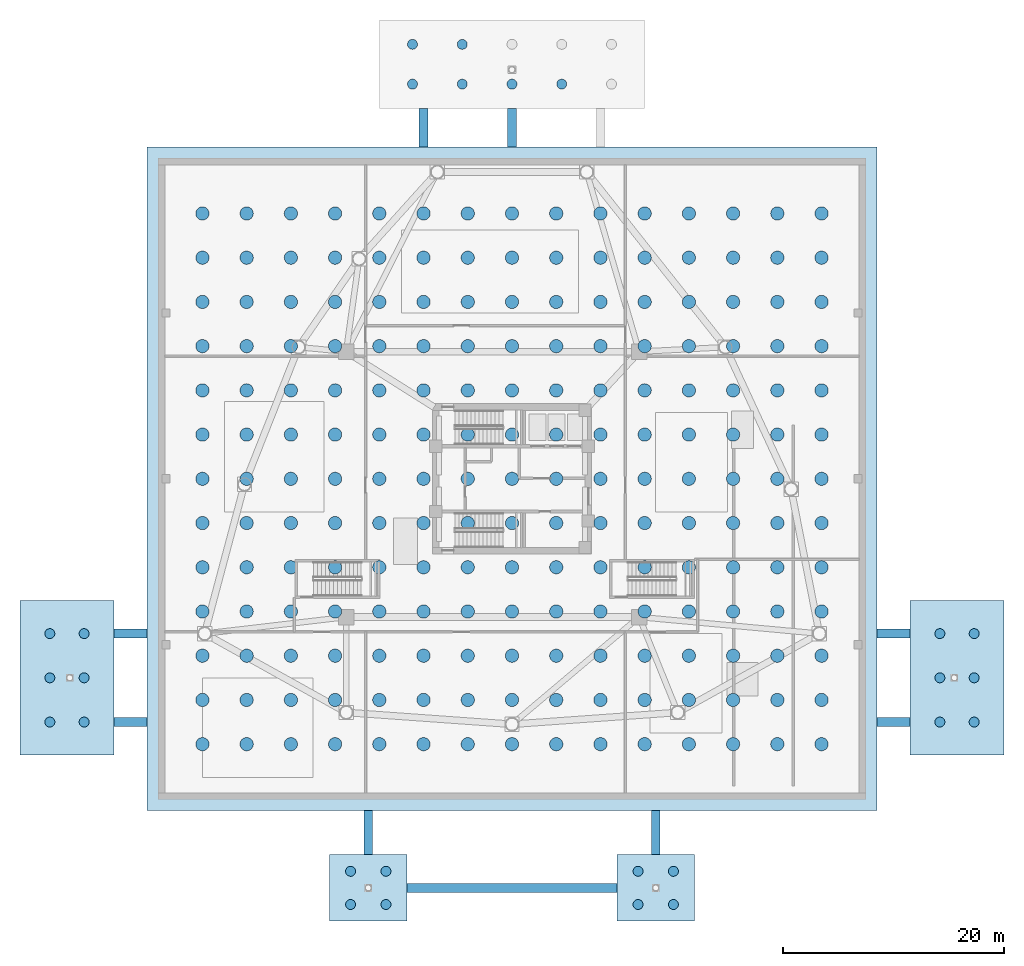
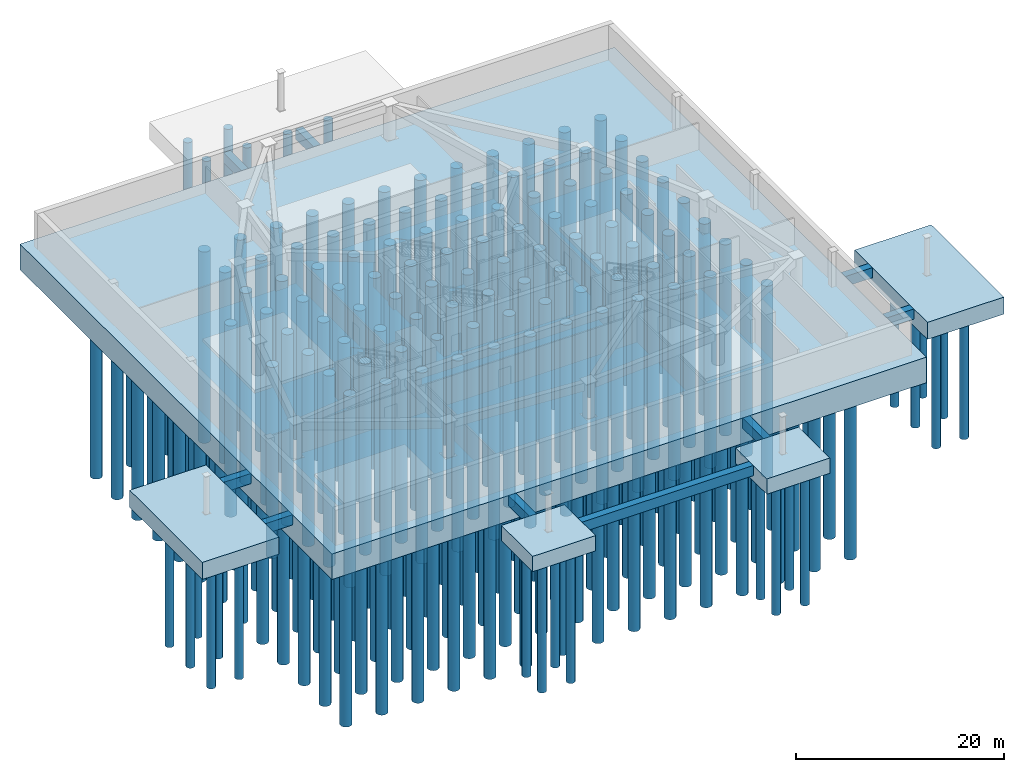
# One storey, part 1 of 11: 221 piles, 14 footings.
"""IFC4 building model written with IfcOpenShell, lengths in metres."""

from ifc_helpers import new_model, si_unit, direction, frame, origin, origin_2d, place, context, subcontext, project, spatial, polyline, rectangle, circle, outline, extrude, material, layer, layer_set, material_profile, profile_set, type_object, element, save


model = new_model("IFC4")

# Units and contexts
model_context = context("Model", 3, precision=1e-05, world=origin(), true_north=direction((0.0, 1.0)))
body_context = subcontext(model_context, "Body", "Model", "MODEL_VIEW")
ifc_project = project(units=[si_unit("LENGTHUNIT", "METRE"), si_unit("AREAUNIT", "SQUARE_METRE"), si_unit("VOLUMEUNIT", "CUBIC_METRE"), si_unit("PLANEANGLEUNIT", "RADIAN"), si_unit("MASSUNIT", "GRAM", prefix="KILO")], contexts=[model_context])

# Site, building, storey
site_placement = place(None, origin())
site = spatial("IfcSite", under=ifc_project, at=site_placement, CompositionType="ELEMENT")
building_placement = place(site_placement, origin())
building = spatial("IfcBuilding", under=site, at=building_placement, Name="Tavelor Broadcast Tower", CompositionType="ELEMENT")
storey_placement = place(building_placement, frame((0.0, 0.0, -8.699951171875)))
storey = spatial("IfcBuildingStorey", under=building, at=storey_placement, Name="B02", CompositionType="ELEMENT", Elevation=-8.699951171875)

# Footings
ifc_material = material(Name="Concrete C40/50", Category="concrete")
ifc_layer_1 = layer(ifc_material, 1.800048828125)
ifc_layer_set_1 = layer_set([ifc_layer_1], Name="Concrete C40/50")
footing_type_1 = type_object("IfcFootingType", Name="Entrance Portal Pile Cap 1800 mm", PredefinedType="PILE_CAP", material=ifc_layer_set_1)
footing_1_placement = place(storey_placement, frame((0.0, 0.0, -1.800048828125)))
element("IfcFooting", 1, at=footing_1_placement, inside=storey, type_object=footing_type_1, Name="Entrance Portal Pile Cap PC04 1800 mm", PredefinedType="PILE_CAP", context=body_context, shape_type="SweptSolid", body=[
    extrude(outline(polyline([(33.5, 5.0), (40.5, 5.0), (40.5, 11.0), (33.5, 11.0), (33.5, 5.0)])), origin(), (0.0, 0.0, 1.0), 1.800048828125),
])
footing_2_placement = place(storey_placement, frame((0.0, 0.0, -1.800048828125)))
element("IfcFooting", 2, at=footing_2_placement, inside=storey, type_object=footing_type_1, Name="Entrance Portal Pile Cap PC05 1800 mm", PredefinedType="PILE_CAP", context=body_context, shape_type="SweptSolid", body=[
    extrude(outline(polyline([(59.5, 5.0), (66.5, 5.0), (66.5, 11.0), (59.5, 11.0), (59.5, 5.0)])), origin(), (0.0, 0.0, 1.0), 1.800048828125),
])
ifc_material_profile_1 = material_profile(ifc_material, rectangle(XDim=0.800048828125, YDim=1.199951171875, at=origin_2d()), Name="RC 800x1200")
ifc_profile_set_1 = profile_set([ifc_material_profile_1], Name="Concrete C40/50")
footing_type_2 = type_object("IfcFootingType", Name="Foundation Ground Tie Beam 800x1200", PredefinedType="FOOTING_BEAM", material=ifc_profile_set_1)
for number, where, z_axis, x_axis, name in (
    (3, (42.0, 75.0, -0.60009765625), (0.0, 1.0, 0.0), (-1.0, 0.0, 0.0), "Foundation Ground Tie Beam GB01"),
    (4, (50.0, 75.0, -0.60009765625), (0.0, 1.0, 0.0), (-1.0, 0.0, 0.0), "Foundation Ground Tie Beam GB02"),
):
    element("IfcFooting", number, at=place(storey_placement, frame(where, z_axis=z_axis, x_axis=x_axis)), inside=storey, type_object=footing_type_2, Name=name, PredefinedType="FOOTING_BEAM", context=body_context, shape_type="SweptSolid", body=[
        extrude(rectangle(XDim=0.800048828125, YDim=1.199951171875, at=origin_2d()), origin(), (0.0, 0.0, 1.0), 3.5),
    ])
for number, where, z_axis, x_axis, name in (
    (5, (14.0, 23.0, -0.60009765625), (1.0, 0.0, 0.0), (0.0, 1.0, 0.0), "Foundation Ground Tie Beam GB04"),
    (6, (14.0, 31.0, -0.60009765625), (1.0, 0.0, 0.0), (0.0, 1.0, 0.0), "Foundation Ground Tie Beam GB05"),
    (7, (83.0, 23.0, -0.60009765625), (1.0, 0.0, 0.0), (0.0, 1.0, 0.0), "Foundation Ground Tie Beam GB06"),
    (8, (83.0, 31.0, -0.60009765625), (1.0, 0.0, 0.0), (0.0, 1.0, 0.0), "Foundation Ground Tie Beam GB07"),
):
    element("IfcFooting", number, at=place(storey_placement, frame(where, z_axis=z_axis, x_axis=x_axis)), inside=storey, type_object=footing_type_2, Name=name, PredefinedType="FOOTING_BEAM", context=body_context, shape_type="SweptSolid", body=[
        extrude(rectangle(XDim=0.800048828125, YDim=1.199951171875, at=origin_2d()), origin(), (0.0, 0.0, 1.0), 3.0),
    ])
for number, where, z_axis, x_axis, name in (
    (9, (37.0, 11.0, -0.60009765625), (0.0, 1.0, 0.0), (-1.0, 0.0, 0.0), "Foundation Ground Tie Beam GB08"),
    (10, (63.0, 11.0, -0.60009765625), (0.0, 1.0, 0.0), (-1.0, 0.0, 0.0), "Foundation Ground Tie Beam GB09"),
):
    element("IfcFooting", number, at=place(storey_placement, frame(where, z_axis=z_axis, x_axis=x_axis)), inside=storey, type_object=footing_type_2, Name=name, PredefinedType="FOOTING_BEAM", context=body_context, shape_type="SweptSolid", body=[
        extrude(rectangle(XDim=0.800048828125, YDim=1.199951171875, at=origin_2d()), origin(), (0.0, 0.0, 1.0), 4.0),
    ])
footing_3_placement = place(storey_placement, frame((40.5, 8.0, -0.60009765625), z_axis=(1.0, 0.0, 0.0), x_axis=(0.0, 1.0, 0.0)))
element("IfcFooting", 11, at=footing_3_placement, inside=storey, type_object=footing_type_2, Name="Foundation Ground Tie Beam GB10", PredefinedType="FOOTING_BEAM", context=body_context, shape_type="SweptSolid", body=[
    extrude(rectangle(XDim=0.800048828125, YDim=1.199951171875, at=origin_2d()), origin(), (0.0, 0.0, 1.0), 19.0),
])
ifc_layer_2 = layer(ifc_material, 3.0)
ifc_layer_set_2 = layer_set([ifc_layer_2], Name="Concrete C40/50")
footing_type_3 = type_object("IfcFootingType", Name="Piled Raft Foundation 3000 mm", PredefinedType="PILE_CAP", material=ifc_layer_set_2)
footing_4_placement = place(storey_placement, frame((0.0, 0.0, -3.0)))
element("IfcFooting", 12, at=footing_4_placement, inside=storey, type_object=footing_type_3, Name="Tower Piled Raft Foundation 3000 mm", PredefinedType="PILE_CAP", context=body_context, shape_type="SweptSolid", body=[
    extrude(outline(polyline([(17.0, 15.0), (83.0, 15.0), (83.0, 75.0), (17.0, 75.0), (17.0, 15.0)])), origin(), (0.0, 0.0, 1.0), 3.0),
])

# Piles
ifc_material_profile_2 = material_profile(ifc_material, circle(Radius=0.449951171875, at=origin_2d()), Name="PILE D900")
ifc_profile_set_2 = profile_set([ifc_material_profile_2], Name="Concrete C40/50")
pile_type_1 = type_object("IfcPileType", Name="Podium Bored Pile D900", PredefinedType="BORED", material=ifc_profile_set_2)
for number, where, z_axis, x_axis, name in (
    (13, (41.0, 80.699951171875, -1.85009765625), (0.0, 0.0, -1.0), (1.0, 0.0, 0.0), "Podium Cap PC01 Bored Pile C001"),
    (14, (41.0, 84.300048828125, -1.85009765625), (0.0, 0.0, -1.0), (1.0, 0.0, 0.0), "Podium Cap PC01 Bored Pile C002"),
    (15, (45.5, 80.699951171875, -1.85009765625), (0.0, 0.0, -1.0), (1.0, 0.0, 0.0), "Podium Cap PC01 Bored Pile C003"),
    (16, (45.5, 84.300048828125, -1.85009765625), (0.0, 0.0, -1.0), (1.0, 0.0, 0.0), "Podium Cap PC01 Bored Pile C004"),
    (17, (50.0, 80.699951171875, -1.85009765625), (0.0, 0.0, -1.0), (1.0, 0.0, 0.0), "Podium Cap PC01 Bored Pile C005"),
    (18, (54.5, 80.699951171875, -1.85009765625), (0.0, 0.0, -1.0), (1.0, 0.0, 0.0), "Podium Cap PC01 Bored Pile C007"),
    (19, (8.199951171875, 23.0, -1.85009765625), (0.0, 0.0, -1.0), (1.0, 0.0, 0.0), "Podium Cap PC02 Bored Pile C011"),
    (20, (8.199951171875, 27.0, -1.85009765625), (0.0, 0.0, -1.0), (1.0, 0.0, 0.0), "Podium Cap PC02 Bored Pile C012"),
    (21, (8.199951171875, 31.0, -1.85009765625), (0.0, 0.0, -1.0), (1.0, 0.0, 0.0), "Podium Cap PC02 Bored Pile C013"),
    (22, (11.300048828125, 23.0, -1.85009765625), (0.0, 0.0, -1.0), (1.0, 0.0, 0.0), "Podium Cap PC02 Bored Pile C014"),
    (23, (11.300048828125, 27.0, -1.85009765625), (0.0, 0.0, -1.0), (1.0, 0.0, 0.0), "Podium Cap PC02 Bored Pile C015"),
    (24, (11.300048828125, 31.0, -1.85009765625), (0.0, 0.0, -1.0), (1.0, 0.0, 0.0), "Podium Cap PC02 Bored Pile C016"),
    (25, (88.699951171875, 23.0, -1.85009765625), (0.0, 0.0, -1.0), (1.0, 0.0, 0.0), "Podium Cap PC03 Bored Pile C017"),
    (26, (88.699951171875, 27.0, -1.85009765625), (0.0, 0.0, -1.0), (1.0, 0.0, 0.0), "Podium Cap PC03 Bored Pile C018"),
    (27, (88.699951171875, 31.0, -1.85009765625), (0.0, 0.0, -1.0), (1.0, 0.0, 0.0), "Podium Cap PC03 Bored Pile C019"),
    (28, (91.800048828125, 23.0, -1.85009765625), (0.0, 0.0, -1.0), (1.0, 0.0, 0.0), "Podium Cap PC03 Bored Pile C020"),
    (29, (91.800048828125, 27.0, -1.85009765625), (0.0, 0.0, -1.0), (1.0, 0.0, 0.0), "Podium Cap PC03 Bored Pile C021"),
    (30, (91.800048828125, 31.0, -1.85009765625), (0.0, 0.0, -1.0), (1.0, 0.0, 0.0), "Podium Cap PC03 Bored Pile C022"),
):
    element("IfcPile", number, at=place(storey_placement, frame(where, z_axis=z_axis, x_axis=x_axis)), inside=storey, type_object=pile_type_1, Name=name, PredefinedType="BORED", context=body_context, shape_type="SweptSolid", body=[
        extrude(circle(Radius=0.449951171875, at=origin_2d()), origin(), (0.0, 0.0, 1.0), 15.449951171875),
    ])
for number, where, z_axis, x_axis, name in (
    (31, (35.39990234375, 6.5, -1.650146484375), (0.0, 0.0, -1.0), (1.0, 0.0, 0.0), "Podium Cap PC04 Bored Pile C023"),
    (32, (35.39990234375, 9.5, -1.650146484375), (0.0, 0.0, -1.0), (1.0, 0.0, 0.0), "Podium Cap PC04 Bored Pile C024"),
    (33, (38.60009765625, 6.5, -1.650146484375), (0.0, 0.0, -1.0), (1.0, 0.0, 0.0), "Podium Cap PC04 Bored Pile C025"),
    (34, (38.60009765625, 9.5, -1.650146484375), (0.0, 0.0, -1.0), (1.0, 0.0, 0.0), "Podium Cap PC04 Bored Pile C026"),
    (35, (61.39990234375, 6.5, -1.650146484375), (0.0, 0.0, -1.0), (1.0, 0.0, 0.0), "Podium Cap PC05 Bored Pile C027"),
    (36, (61.39990234375, 9.5, -1.650146484375), (0.0, 0.0, -1.0), (1.0, 0.0, 0.0), "Podium Cap PC05 Bored Pile C028"),
    (37, (64.60009765625, 6.5, -1.650146484375), (0.0, 0.0, -1.0), (1.0, 0.0, 0.0), "Podium Cap PC05 Bored Pile C029"),
    (38, (64.60009765625, 9.5, -1.650146484375), (0.0, 0.0, -1.0), (1.0, 0.0, 0.0), "Podium Cap PC05 Bored Pile C030"),
):
    element("IfcPile", number, at=place(storey_placement, frame(where, z_axis=z_axis, x_axis=x_axis)), inside=storey, type_object=pile_type_1, Name=name, PredefinedType="BORED", context=body_context, shape_type="SweptSolid", body=[
        extrude(circle(Radius=0.449951171875, at=origin_2d()), origin(), (0.0, 0.0, 1.0), 15.64990234375),
    ])

# Footings
ifc_layer_3 = layer(ifc_material, 2.0)
ifc_layer_set_3 = layer_set([ifc_layer_3], Name="Concrete C40/50")
footing_type_4 = type_object("IfcFootingType", Name="Podium Pile Cap 2000 mm Type B", PredefinedType="PILE_CAP", material=ifc_layer_set_3)
footing_5_placement = place(storey_placement, frame((0.0, 0.0, -2.0)))
element("IfcFooting", 39, at=footing_5_placement, inside=storey, type_object=footing_type_4, Name="Podium Pile Cap PC02 2000 mm", PredefinedType="PILE_CAP", context=body_context, shape_type="SweptSolid", body=[
    extrude(outline(polyline([(5.5, 20.0), (14.0, 20.0), (14.0, 34.0), (5.5, 34.0), (5.5, 20.0)])), origin(), (0.0, 0.0, 1.0), 2.0),
])
footing_6_placement = place(storey_placement, frame((0.0, 0.0, -2.0)))
element("IfcFooting", 40, at=footing_6_placement, inside=storey, type_object=footing_type_4, Name="Podium Pile Cap PC03 2000 mm", PredefinedType="PILE_CAP", context=body_context, shape_type="SweptSolid", body=[
    extrude(outline(polyline([(86.0, 20.0), (94.5, 20.0), (94.5, 34.0), (86.0, 34.0), (86.0, 20.0)])), origin(), (0.0, 0.0, 1.0), 2.0),
])

# Piles
ifc_material_profile_3 = material_profile(ifc_material, circle(Radius=0.60009765625, at=origin_2d()), Name="PILE D1200")
ifc_profile_set_3 = profile_set([ifc_material_profile_3], Name="Concrete C40/50")
pile_type_2 = type_object("IfcPileType", Name="Tower Bored Pile D1200", PredefinedType="BORED", material=ifc_profile_set_3)
for number, where, z_axis, x_axis, name in (
    (41, (22.0, 21.0, -2.85009765625), (0.0, 0.0, -1.0), (1.0, 0.0, 0.0), "Tower Raft Bored Pile R001"),
    (42, (22.0, 25.0, -2.85009765625), (0.0, 0.0, -1.0), (1.0, 0.0, 0.0), "Tower Raft Bored Pile R002"),
    (43, (22.0, 29.0, -2.85009765625), (0.0, 0.0, -1.0), (1.0, 0.0, 0.0), "Tower Raft Bored Pile R003"),
    (44, (22.0, 33.0, -2.85009765625), (0.0, 0.0, -1.0), (1.0, 0.0, 0.0), "Tower Raft Bored Pile R004"),
    (45, (22.0, 37.0, -2.85009765625), (0.0, 0.0, -1.0), (1.0, 0.0, 0.0), "Tower Raft Bored Pile R005"),
    (46, (22.0, 41.0, -2.85009765625), (0.0, 0.0, -1.0), (1.0, 0.0, 0.0), "Tower Raft Bored Pile R006"),
    (47, (22.0, 45.0, -2.85009765625), (0.0, 0.0, -1.0), (1.0, 0.0, 0.0), "Tower Raft Bored Pile R007"),
    (48, (22.0, 49.0, -2.85009765625), (0.0, 0.0, -1.0), (1.0, 0.0, 0.0), "Tower Raft Bored Pile R008"),
    (49, (22.0, 53.0, -2.85009765625), (0.0, 0.0, -1.0), (1.0, 0.0, 0.0), "Tower Raft Bored Pile R009"),
    (50, (22.0, 57.0, -2.85009765625), (0.0, 0.0, -1.0), (1.0, 0.0, 0.0), "Tower Raft Bored Pile R010"),
    (51, (22.0, 61.0, -2.85009765625), (0.0, 0.0, -1.0), (1.0, 0.0, 0.0), "Tower Raft Bored Pile R011"),
    (52, (22.0, 65.0, -2.85009765625), (0.0, 0.0, -1.0), (1.0, 0.0, 0.0), "Tower Raft Bored Pile R012"),
    (53, (22.0, 69.0, -2.85009765625), (0.0, 0.0, -1.0), (1.0, 0.0, 0.0), "Tower Raft Bored Pile R013"),
    (54, (26.0, 21.0, -2.85009765625), (0.0, 0.0, -1.0), (1.0, 0.0, 0.0), "Tower Raft Bored Pile R014"),
    (55, (26.0, 25.0, -2.85009765625), (0.0, 0.0, -1.0), (1.0, 0.0, 0.0), "Tower Raft Bored Pile R015"),
    (56, (26.0, 29.0, -2.85009765625), (0.0, 0.0, -1.0), (1.0, 0.0, 0.0), "Tower Raft Bored Pile R016"),
    (57, (26.0, 33.0, -2.85009765625), (0.0, 0.0, -1.0), (1.0, 0.0, 0.0), "Tower Raft Bored Pile R017"),
    (58, (26.0, 37.0, -2.85009765625), (0.0, 0.0, -1.0), (1.0, 0.0, 0.0), "Tower Raft Bored Pile R018"),
    (59, (26.0, 41.0, -2.85009765625), (0.0, 0.0, -1.0), (1.0, 0.0, 0.0), "Tower Raft Bored Pile R019"),
    (60, (26.0, 45.0, -2.85009765625), (0.0, 0.0, -1.0), (1.0, 0.0, 0.0), "Tower Raft Bored Pile R020"),
    (61, (26.0, 49.0, -2.85009765625), (0.0, 0.0, -1.0), (1.0, 0.0, 0.0), "Tower Raft Bored Pile R021"),
    (62, (26.0, 53.0, -2.85009765625), (0.0, 0.0, -1.0), (1.0, 0.0, 0.0), "Tower Raft Bored Pile R022"),
    (63, (26.0, 57.0, -2.85009765625), (0.0, 0.0, -1.0), (1.0, 0.0, 0.0), "Tower Raft Bored Pile R023"),
    (64, (26.0, 61.0, -2.85009765625), (0.0, 0.0, -1.0), (1.0, 0.0, 0.0), "Tower Raft Bored Pile R024"),
    (65, (26.0, 65.0, -2.85009765625), (0.0, 0.0, -1.0), (1.0, 0.0, 0.0), "Tower Raft Bored Pile R025"),
    (66, (26.0, 69.0, -2.85009765625), (0.0, 0.0, -1.0), (1.0, 0.0, 0.0), "Tower Raft Bored Pile R026"),
    (67, (30.0, 21.0, -2.85009765625), (0.0, 0.0, -1.0), (1.0, 0.0, 0.0), "Tower Raft Bored Pile R027"),
    (68, (30.0, 25.0, -2.85009765625), (0.0, 0.0, -1.0), (1.0, 0.0, 0.0), "Tower Raft Bored Pile R028"),
    (69, (30.0, 29.0, -2.85009765625), (0.0, 0.0, -1.0), (1.0, 0.0, 0.0), "Tower Raft Bored Pile R029"),
    (70, (30.0, 33.0, -2.85009765625), (0.0, 0.0, -1.0), (1.0, 0.0, 0.0), "Tower Raft Bored Pile R030"),
    (71, (30.0, 37.0, -2.85009765625), (0.0, 0.0, -1.0), (1.0, 0.0, 0.0), "Tower Raft Bored Pile R031"),
    (72, (30.0, 41.0, -2.85009765625), (0.0, 0.0, -1.0), (1.0, 0.0, 0.0), "Tower Raft Bored Pile R032"),
    (73, (30.0, 45.0, -2.85009765625), (0.0, 0.0, -1.0), (1.0, 0.0, 0.0), "Tower Raft Bored Pile R033"),
    (74, (30.0, 49.0, -2.85009765625), (0.0, 0.0, -1.0), (1.0, 0.0, 0.0), "Tower Raft Bored Pile R034"),
    (75, (30.0, 53.0, -2.85009765625), (0.0, 0.0, -1.0), (1.0, 0.0, 0.0), "Tower Raft Bored Pile R035"),
    (76, (30.0, 57.0, -2.85009765625), (0.0, 0.0, -1.0), (1.0, 0.0, 0.0), "Tower Raft Bored Pile R036"),
    (77, (30.0, 61.0, -2.85009765625), (0.0, 0.0, -1.0), (1.0, 0.0, 0.0), "Tower Raft Bored Pile R037"),
    (78, (30.0, 65.0, -2.85009765625), (0.0, 0.0, -1.0), (1.0, 0.0, 0.0), "Tower Raft Bored Pile R038"),
    (79, (30.0, 69.0, -2.85009765625), (0.0, 0.0, -1.0), (1.0, 0.0, 0.0), "Tower Raft Bored Pile R039"),
    (80, (34.0, 21.0, -2.85009765625), (0.0, 0.0, -1.0), (1.0, 0.0, 0.0), "Tower Raft Bored Pile R040"),
    (81, (34.0, 25.0, -2.85009765625), (0.0, 0.0, -1.0), (1.0, 0.0, 0.0), "Tower Raft Bored Pile R041"),
    (82, (34.0, 29.0, -2.85009765625), (0.0, 0.0, -1.0), (1.0, 0.0, 0.0), "Tower Raft Bored Pile R042"),
    (83, (34.0, 33.0, -2.85009765625), (0.0, 0.0, -1.0), (1.0, 0.0, 0.0), "Tower Raft Bored Pile R043"),
    (84, (34.0, 37.0, -2.85009765625), (0.0, 0.0, -1.0), (1.0, 0.0, 0.0), "Tower Raft Bored Pile R044"),
    (85, (34.0, 41.0, -2.85009765625), (0.0, 0.0, -1.0), (1.0, 0.0, 0.0), "Tower Raft Bored Pile R045"),
    (86, (34.0, 45.0, -2.85009765625), (0.0, 0.0, -1.0), (1.0, 0.0, 0.0), "Tower Raft Bored Pile R046"),
    (87, (34.0, 49.0, -2.85009765625), (0.0, 0.0, -1.0), (1.0, 0.0, 0.0), "Tower Raft Bored Pile R047"),
    (88, (34.0, 53.0, -2.85009765625), (0.0, 0.0, -1.0), (1.0, 0.0, 0.0), "Tower Raft Bored Pile R048"),
    (89, (34.0, 57.0, -2.85009765625), (0.0, 0.0, -1.0), (1.0, 0.0, 0.0), "Tower Raft Bored Pile R049"),
    (90, (34.0, 61.0, -2.85009765625), (0.0, 0.0, -1.0), (1.0, 0.0, 0.0), "Tower Raft Bored Pile R050"),
    (91, (34.0, 65.0, -2.85009765625), (0.0, 0.0, -1.0), (1.0, 0.0, 0.0), "Tower Raft Bored Pile R051"),
    (92, (34.0, 69.0, -2.85009765625), (0.0, 0.0, -1.0), (1.0, 0.0, 0.0), "Tower Raft Bored Pile R052"),
    (93, (38.0, 21.0, -2.85009765625), (0.0, 0.0, -1.0), (1.0, 0.0, 0.0), "Tower Raft Bored Pile R053"),
    (94, (38.0, 25.0, -2.85009765625), (0.0, 0.0, -1.0), (1.0, 0.0, 0.0), "Tower Raft Bored Pile R054"),
    (95, (38.0, 29.0, -2.85009765625), (0.0, 0.0, -1.0), (1.0, 0.0, 0.0), "Tower Raft Bored Pile R055"),
    (96, (38.0, 33.0, -2.85009765625), (0.0, 0.0, -1.0), (1.0, 0.0, 0.0), "Tower Raft Bored Pile R056"),
    (97, (38.0, 37.0, -2.85009765625), (0.0, 0.0, -1.0), (1.0, 0.0, 0.0), "Tower Raft Bored Pile R057"),
    (98, (38.0, 41.0, -2.85009765625), (0.0, 0.0, -1.0), (1.0, 0.0, 0.0), "Tower Raft Bored Pile R058"),
    (99, (38.0, 45.0, -2.85009765625), (0.0, 0.0, -1.0), (1.0, 0.0, 0.0), "Tower Raft Bored Pile R059"),
    (100, (38.0, 49.0, -2.85009765625), (0.0, 0.0, -1.0), (1.0, 0.0, 0.0), "Tower Raft Bored Pile R060"),
    (101, (38.0, 53.0, -2.85009765625), (0.0, 0.0, -1.0), (1.0, 0.0, 0.0), "Tower Raft Bored Pile R061"),
    (102, (38.0, 57.0, -2.85009765625), (0.0, 0.0, -1.0), (1.0, 0.0, 0.0), "Tower Raft Bored Pile R062"),
    (103, (38.0, 61.0, -2.85009765625), (0.0, 0.0, -1.0), (1.0, 0.0, 0.0), "Tower Raft Bored Pile R063"),
    (104, (38.0, 65.0, -2.85009765625), (0.0, 0.0, -1.0), (1.0, 0.0, 0.0), "Tower Raft Bored Pile R064"),
    (105, (38.0, 69.0, -2.85009765625), (0.0, 0.0, -1.0), (1.0, 0.0, 0.0), "Tower Raft Bored Pile R065"),
    (106, (42.0, 21.0, -2.85009765625), (0.0, 0.0, -1.0), (1.0, 0.0, 0.0), "Tower Raft Bored Pile R066"),
    (107, (42.0, 25.0, -2.85009765625), (0.0, 0.0, -1.0), (1.0, 0.0, 0.0), "Tower Raft Bored Pile R067"),
    (108, (42.0, 29.0, -2.85009765625), (0.0, 0.0, -1.0), (1.0, 0.0, 0.0), "Tower Raft Bored Pile R068"),
    (109, (42.0, 33.0, -2.85009765625), (0.0, 0.0, -1.0), (1.0, 0.0, 0.0), "Tower Raft Bored Pile R069"),
    (110, (42.0, 37.0, -2.85009765625), (0.0, 0.0, -1.0), (1.0, 0.0, 0.0), "Tower Raft Bored Pile R070"),
    (111, (42.0, 41.0, -2.85009765625), (0.0, 0.0, -1.0), (1.0, 0.0, 0.0), "Tower Raft Bored Pile R071"),
    (112, (42.0, 45.0, -2.85009765625), (0.0, 0.0, -1.0), (1.0, 0.0, 0.0), "Tower Raft Bored Pile R072"),
    (113, (42.0, 49.0, -2.85009765625), (0.0, 0.0, -1.0), (1.0, 0.0, 0.0), "Tower Raft Bored Pile R073"),
    (114, (42.0, 53.0, -2.85009765625), (0.0, 0.0, -1.0), (1.0, 0.0, 0.0), "Tower Raft Bored Pile R074"),
    (115, (42.0, 57.0, -2.85009765625), (0.0, 0.0, -1.0), (1.0, 0.0, 0.0), "Tower Raft Bored Pile R075"),
    (116, (42.0, 61.0, -2.85009765625), (0.0, 0.0, -1.0), (1.0, 0.0, 0.0), "Tower Raft Bored Pile R076"),
    (117, (42.0, 65.0, -2.85009765625), (0.0, 0.0, -1.0), (1.0, 0.0, 0.0), "Tower Raft Bored Pile R077"),
    (118, (42.0, 69.0, -2.85009765625), (0.0, 0.0, -1.0), (1.0, 0.0, 0.0), "Tower Raft Bored Pile R078"),
    (119, (46.0, 21.0, -2.85009765625), (0.0, 0.0, -1.0), (1.0, 0.0, 0.0), "Tower Raft Bored Pile R079"),
    (120, (46.0, 25.0, -2.85009765625), (0.0, 0.0, -1.0), (1.0, 0.0, 0.0), "Tower Raft Bored Pile R080"),
    (121, (46.0, 29.0, -2.85009765625), (0.0, 0.0, -1.0), (1.0, 0.0, 0.0), "Tower Raft Bored Pile R081"),
    (122, (46.0, 33.0, -2.85009765625), (0.0, 0.0, -1.0), (1.0, 0.0, 0.0), "Tower Raft Bored Pile R082"),
    (123, (46.0, 37.0, -2.85009765625), (0.0, 0.0, -1.0), (1.0, 0.0, 0.0), "Tower Raft Bored Pile R083"),
    (124, (46.0, 41.0, -2.85009765625), (0.0, 0.0, -1.0), (1.0, 0.0, 0.0), "Tower Raft Bored Pile R084"),
    (125, (46.0, 45.0, -2.85009765625), (0.0, 0.0, -1.0), (1.0, 0.0, 0.0), "Tower Raft Bored Pile R085"),
    (126, (46.0, 49.0, -2.85009765625), (0.0, 0.0, -1.0), (1.0, 0.0, 0.0), "Tower Raft Bored Pile R086"),
    (127, (46.0, 53.0, -2.85009765625), (0.0, 0.0, -1.0), (1.0, 0.0, 0.0), "Tower Raft Bored Pile R087"),
    (128, (46.0, 57.0, -2.85009765625), (0.0, 0.0, -1.0), (1.0, 0.0, 0.0), "Tower Raft Bored Pile R088"),
    (129, (46.0, 61.0, -2.85009765625), (0.0, 0.0, -1.0), (1.0, 0.0, 0.0), "Tower Raft Bored Pile R089"),
    (130, (46.0, 65.0, -2.85009765625), (0.0, 0.0, -1.0), (1.0, 0.0, 0.0), "Tower Raft Bored Pile R090"),
    (131, (46.0, 69.0, -2.85009765625), (0.0, 0.0, -1.0), (1.0, 0.0, 0.0), "Tower Raft Bored Pile R091"),
    (132, (50.0, 21.0, -2.85009765625), (0.0, 0.0, -1.0), (1.0, 0.0, 0.0), "Tower Raft Bored Pile R092"),
    (133, (50.0, 25.0, -2.85009765625), (0.0, 0.0, -1.0), (1.0, 0.0, 0.0), "Tower Raft Bored Pile R093"),
    (134, (50.0, 29.0, -2.85009765625), (0.0, 0.0, -1.0), (1.0, 0.0, 0.0), "Tower Raft Bored Pile R094"),
    (135, (50.0, 33.0, -2.85009765625), (0.0, 0.0, -1.0), (1.0, 0.0, 0.0), "Tower Raft Bored Pile R095"),
    (136, (50.0, 37.0, -2.85009765625), (0.0, 0.0, -1.0), (1.0, 0.0, 0.0), "Tower Raft Bored Pile R096"),
    (137, (50.0, 41.0, -2.85009765625), (0.0, 0.0, -1.0), (1.0, 0.0, 0.0), "Tower Raft Bored Pile R097"),
    (138, (50.0, 45.0, -2.85009765625), (0.0, 0.0, -1.0), (1.0, 0.0, 0.0), "Tower Raft Bored Pile R098"),
    (139, (50.0, 49.0, -2.85009765625), (0.0, 0.0, -1.0), (1.0, 0.0, 0.0), "Tower Raft Bored Pile R099"),
    (140, (50.0, 53.0, -2.85009765625), (0.0, 0.0, -1.0), (1.0, 0.0, 0.0), "Tower Raft Bored Pile R100"),
    (141, (50.0, 57.0, -2.85009765625), (0.0, 0.0, -1.0), (1.0, 0.0, 0.0), "Tower Raft Bored Pile R101"),
    (142, (50.0, 61.0, -2.85009765625), (0.0, 0.0, -1.0), (1.0, 0.0, 0.0), "Tower Raft Bored Pile R102"),
    (143, (50.0, 65.0, -2.85009765625), (0.0, 0.0, -1.0), (1.0, 0.0, 0.0), "Tower Raft Bored Pile R103"),
    (144, (50.0, 69.0, -2.85009765625), (0.0, 0.0, -1.0), (1.0, 0.0, 0.0), "Tower Raft Bored Pile R104"),
    (145, (54.0, 21.0, -2.85009765625), (0.0, 0.0, -1.0), (1.0, 0.0, 0.0), "Tower Raft Bored Pile R105"),
    (146, (54.0, 25.0, -2.85009765625), (0.0, 0.0, -1.0), (1.0, 0.0, 0.0), "Tower Raft Bored Pile R106"),
    (147, (54.0, 29.0, -2.85009765625), (0.0, 0.0, -1.0), (1.0, 0.0, 0.0), "Tower Raft Bored Pile R107"),
    (148, (54.0, 33.0, -2.85009765625), (0.0, 0.0, -1.0), (1.0, 0.0, 0.0), "Tower Raft Bored Pile R108"),
    (149, (54.0, 37.0, -2.85009765625), (0.0, 0.0, -1.0), (1.0, 0.0, 0.0), "Tower Raft Bored Pile R109"),
    (150, (54.0, 41.0, -2.85009765625), (0.0, 0.0, -1.0), (1.0, 0.0, 0.0), "Tower Raft Bored Pile R110"),
    (151, (54.0, 45.0, -2.85009765625), (0.0, 0.0, -1.0), (1.0, 0.0, 0.0), "Tower Raft Bored Pile R111"),
    (152, (54.0, 49.0, -2.85009765625), (0.0, 0.0, -1.0), (1.0, 0.0, 0.0), "Tower Raft Bored Pile R112"),
    (153, (54.0, 53.0, -2.85009765625), (0.0, 0.0, -1.0), (1.0, 0.0, 0.0), "Tower Raft Bored Pile R113"),
    (154, (54.0, 57.0, -2.85009765625), (0.0, 0.0, -1.0), (1.0, 0.0, 0.0), "Tower Raft Bored Pile R114"),
    (155, (54.0, 61.0, -2.85009765625), (0.0, 0.0, -1.0), (1.0, 0.0, 0.0), "Tower Raft Bored Pile R115"),
    (156, (54.0, 65.0, -2.85009765625), (0.0, 0.0, -1.0), (1.0, 0.0, 0.0), "Tower Raft Bored Pile R116"),
    (157, (54.0, 69.0, -2.85009765625), (0.0, 0.0, -1.0), (1.0, 0.0, 0.0), "Tower Raft Bored Pile R117"),
    (158, (58.0, 21.0, -2.85009765625), (0.0, 0.0, -1.0), (1.0, 0.0, 0.0), "Tower Raft Bored Pile R118"),
    (159, (58.0, 25.0, -2.85009765625), (0.0, 0.0, -1.0), (1.0, 0.0, 0.0), "Tower Raft Bored Pile R119"),
    (160, (58.0, 29.0, -2.85009765625), (0.0, 0.0, -1.0), (1.0, 0.0, 0.0), "Tower Raft Bored Pile R120"),
    (161, (58.0, 33.0, -2.85009765625), (0.0, 0.0, -1.0), (1.0, 0.0, 0.0), "Tower Raft Bored Pile R121"),
    (162, (58.0, 37.0, -2.85009765625), (0.0, 0.0, -1.0), (1.0, 0.0, 0.0), "Tower Raft Bored Pile R122"),
    (163, (58.0, 41.0, -2.85009765625), (0.0, 0.0, -1.0), (1.0, 0.0, 0.0), "Tower Raft Bored Pile R123"),
    (164, (58.0, 45.0, -2.85009765625), (0.0, 0.0, -1.0), (1.0, 0.0, 0.0), "Tower Raft Bored Pile R124"),
    (165, (58.0, 49.0, -2.85009765625), (0.0, 0.0, -1.0), (1.0, 0.0, 0.0), "Tower Raft Bored Pile R125"),
    (166, (58.0, 53.0, -2.85009765625), (0.0, 0.0, -1.0), (1.0, 0.0, 0.0), "Tower Raft Bored Pile R126"),
    (167, (58.0, 57.0, -2.85009765625), (0.0, 0.0, -1.0), (1.0, 0.0, 0.0), "Tower Raft Bored Pile R127"),
    (168, (58.0, 61.0, -2.85009765625), (0.0, 0.0, -1.0), (1.0, 0.0, 0.0), "Tower Raft Bored Pile R128"),
    (169, (58.0, 65.0, -2.85009765625), (0.0, 0.0, -1.0), (1.0, 0.0, 0.0), "Tower Raft Bored Pile R129"),
    (170, (58.0, 69.0, -2.85009765625), (0.0, 0.0, -1.0), (1.0, 0.0, 0.0), "Tower Raft Bored Pile R130"),
    (171, (62.0, 21.0, -2.85009765625), (0.0, 0.0, -1.0), (1.0, 0.0, 0.0), "Tower Raft Bored Pile R131"),
    (172, (62.0, 25.0, -2.85009765625), (0.0, 0.0, -1.0), (1.0, 0.0, 0.0), "Tower Raft Bored Pile R132"),
    (173, (62.0, 29.0, -2.85009765625), (0.0, 0.0, -1.0), (1.0, 0.0, 0.0), "Tower Raft Bored Pile R133"),
    (174, (62.0, 33.0, -2.85009765625), (0.0, 0.0, -1.0), (1.0, 0.0, 0.0), "Tower Raft Bored Pile R134"),
    (175, (62.0, 37.0, -2.85009765625), (0.0, 0.0, -1.0), (1.0, 0.0, 0.0), "Tower Raft Bored Pile R135"),
    (176, (62.0, 41.0, -2.85009765625), (0.0, 0.0, -1.0), (1.0, 0.0, 0.0), "Tower Raft Bored Pile R136"),
    (177, (62.0, 45.0, -2.85009765625), (0.0, 0.0, -1.0), (1.0, 0.0, 0.0), "Tower Raft Bored Pile R137"),
    (178, (62.0, 49.0, -2.85009765625), (0.0, 0.0, -1.0), (1.0, 0.0, 0.0), "Tower Raft Bored Pile R138"),
    (179, (62.0, 53.0, -2.85009765625), (0.0, 0.0, -1.0), (1.0, 0.0, 0.0), "Tower Raft Bored Pile R139"),
    (180, (62.0, 57.0, -2.85009765625), (0.0, 0.0, -1.0), (1.0, 0.0, 0.0), "Tower Raft Bored Pile R140"),
    (181, (62.0, 61.0, -2.85009765625), (0.0, 0.0, -1.0), (1.0, 0.0, 0.0), "Tower Raft Bored Pile R141"),
    (182, (62.0, 65.0, -2.85009765625), (0.0, 0.0, -1.0), (1.0, 0.0, 0.0), "Tower Raft Bored Pile R142"),
    (183, (62.0, 69.0, -2.85009765625), (0.0, 0.0, -1.0), (1.0, 0.0, 0.0), "Tower Raft Bored Pile R143"),
    (184, (66.0, 21.0, -2.85009765625), (0.0, 0.0, -1.0), (1.0, 0.0, 0.0), "Tower Raft Bored Pile R144"),
    (185, (66.0, 25.0, -2.85009765625), (0.0, 0.0, -1.0), (1.0, 0.0, 0.0), "Tower Raft Bored Pile R145"),
    (186, (66.0, 29.0, -2.85009765625), (0.0, 0.0, -1.0), (1.0, 0.0, 0.0), "Tower Raft Bored Pile R146"),
    (187, (66.0, 33.0, -2.85009765625), (0.0, 0.0, -1.0), (1.0, 0.0, 0.0), "Tower Raft Bored Pile R147"),
    (188, (66.0, 37.0, -2.85009765625), (0.0, 0.0, -1.0), (1.0, 0.0, 0.0), "Tower Raft Bored Pile R148"),
    (189, (66.0, 41.0, -2.85009765625), (0.0, 0.0, -1.0), (1.0, 0.0, 0.0), "Tower Raft Bored Pile R149"),
    (190, (66.0, 45.0, -2.85009765625), (0.0, 0.0, -1.0), (1.0, 0.0, 0.0), "Tower Raft Bored Pile R150"),
    (191, (66.0, 49.0, -2.85009765625), (0.0, 0.0, -1.0), (1.0, 0.0, 0.0), "Tower Raft Bored Pile R151"),
    (192, (66.0, 53.0, -2.85009765625), (0.0, 0.0, -1.0), (1.0, 0.0, 0.0), "Tower Raft Bored Pile R152"),
    (193, (66.0, 57.0, -2.85009765625), (0.0, 0.0, -1.0), (1.0, 0.0, 0.0), "Tower Raft Bored Pile R153"),
    (194, (66.0, 61.0, -2.85009765625), (0.0, 0.0, -1.0), (1.0, 0.0, 0.0), "Tower Raft Bored Pile R154"),
    (195, (66.0, 65.0, -2.85009765625), (0.0, 0.0, -1.0), (1.0, 0.0, 0.0), "Tower Raft Bored Pile R155"),
    (196, (66.0, 69.0, -2.85009765625), (0.0, 0.0, -1.0), (1.0, 0.0, 0.0), "Tower Raft Bored Pile R156"),
    (197, (70.0, 21.0, -2.85009765625), (0.0, 0.0, -1.0), (1.0, 0.0, 0.0), "Tower Raft Bored Pile R157"),
    (198, (70.0, 25.0, -2.85009765625), (0.0, 0.0, -1.0), (1.0, 0.0, 0.0), "Tower Raft Bored Pile R158"),
    (199, (70.0, 29.0, -2.85009765625), (0.0, 0.0, -1.0), (1.0, 0.0, 0.0), "Tower Raft Bored Pile R159"),
    (200, (70.0, 33.0, -2.85009765625), (0.0, 0.0, -1.0), (1.0, 0.0, 0.0), "Tower Raft Bored Pile R160"),
    (201, (70.0, 37.0, -2.85009765625), (0.0, 0.0, -1.0), (1.0, 0.0, 0.0), "Tower Raft Bored Pile R161"),
    (202, (70.0, 41.0, -2.85009765625), (0.0, 0.0, -1.0), (1.0, 0.0, 0.0), "Tower Raft Bored Pile R162"),
    (203, (70.0, 45.0, -2.85009765625), (0.0, 0.0, -1.0), (1.0, 0.0, 0.0), "Tower Raft Bored Pile R163"),
    (204, (70.0, 49.0, -2.85009765625), (0.0, 0.0, -1.0), (1.0, 0.0, 0.0), "Tower Raft Bored Pile R164"),
    (205, (70.0, 53.0, -2.85009765625), (0.0, 0.0, -1.0), (1.0, 0.0, 0.0), "Tower Raft Bored Pile R165"),
    (206, (70.0, 57.0, -2.85009765625), (0.0, 0.0, -1.0), (1.0, 0.0, 0.0), "Tower Raft Bored Pile R166"),
    (207, (70.0, 61.0, -2.85009765625), (0.0, 0.0, -1.0), (1.0, 0.0, 0.0), "Tower Raft Bored Pile R167"),
    (208, (70.0, 65.0, -2.85009765625), (0.0, 0.0, -1.0), (1.0, 0.0, 0.0), "Tower Raft Bored Pile R168"),
    (209, (70.0, 69.0, -2.85009765625), (0.0, 0.0, -1.0), (1.0, 0.0, 0.0), "Tower Raft Bored Pile R169"),
    (210, (74.0, 21.0, -2.85009765625), (0.0, 0.0, -1.0), (1.0, 0.0, 0.0), "Tower Raft Bored Pile R170"),
    (211, (74.0, 25.0, -2.85009765625), (0.0, 0.0, -1.0), (1.0, 0.0, 0.0), "Tower Raft Bored Pile R171"),
    (212, (74.0, 29.0, -2.85009765625), (0.0, 0.0, -1.0), (1.0, 0.0, 0.0), "Tower Raft Bored Pile R172"),
    (213, (74.0, 33.0, -2.85009765625), (0.0, 0.0, -1.0), (1.0, 0.0, 0.0), "Tower Raft Bored Pile R173"),
    (214, (74.0, 37.0, -2.85009765625), (0.0, 0.0, -1.0), (1.0, 0.0, 0.0), "Tower Raft Bored Pile R174"),
    (215, (74.0, 41.0, -2.85009765625), (0.0, 0.0, -1.0), (1.0, 0.0, 0.0), "Tower Raft Bored Pile R175"),
    (216, (74.0, 45.0, -2.85009765625), (0.0, 0.0, -1.0), (1.0, 0.0, 0.0), "Tower Raft Bored Pile R176"),
    (217, (74.0, 49.0, -2.85009765625), (0.0, 0.0, -1.0), (1.0, 0.0, 0.0), "Tower Raft Bored Pile R177"),
    (218, (74.0, 53.0, -2.85009765625), (0.0, 0.0, -1.0), (1.0, 0.0, 0.0), "Tower Raft Bored Pile R178"),
    (219, (74.0, 57.0, -2.85009765625), (0.0, 0.0, -1.0), (1.0, 0.0, 0.0), "Tower Raft Bored Pile R179"),
    (220, (74.0, 61.0, -2.85009765625), (0.0, 0.0, -1.0), (1.0, 0.0, 0.0), "Tower Raft Bored Pile R180"),
    (221, (74.0, 65.0, -2.85009765625), (0.0, 0.0, -1.0), (1.0, 0.0, 0.0), "Tower Raft Bored Pile R181"),
    (222, (74.0, 69.0, -2.85009765625), (0.0, 0.0, -1.0), (1.0, 0.0, 0.0), "Tower Raft Bored Pile R182"),
    (223, (78.0, 21.0, -2.85009765625), (0.0, 0.0, -1.0), (1.0, 0.0, 0.0), "Tower Raft Bored Pile R183"),
    (224, (78.0, 25.0, -2.85009765625), (0.0, 0.0, -1.0), (1.0, 0.0, 0.0), "Tower Raft Bored Pile R184"),
    (225, (78.0, 29.0, -2.85009765625), (0.0, 0.0, -1.0), (1.0, 0.0, 0.0), "Tower Raft Bored Pile R185"),
    (226, (78.0, 33.0, -2.85009765625), (0.0, 0.0, -1.0), (1.0, 0.0, 0.0), "Tower Raft Bored Pile R186"),
    (227, (78.0, 37.0, -2.85009765625), (0.0, 0.0, -1.0), (1.0, 0.0, 0.0), "Tower Raft Bored Pile R187"),
    (228, (78.0, 41.0, -2.85009765625), (0.0, 0.0, -1.0), (1.0, 0.0, 0.0), "Tower Raft Bored Pile R188"),
    (229, (78.0, 45.0, -2.85009765625), (0.0, 0.0, -1.0), (1.0, 0.0, 0.0), "Tower Raft Bored Pile R189"),
    (230, (78.0, 49.0, -2.85009765625), (0.0, 0.0, -1.0), (1.0, 0.0, 0.0), "Tower Raft Bored Pile R190"),
    (231, (78.0, 53.0, -2.85009765625), (0.0, 0.0, -1.0), (1.0, 0.0, 0.0), "Tower Raft Bored Pile R191"),
    (232, (78.0, 57.0, -2.85009765625), (0.0, 0.0, -1.0), (1.0, 0.0, 0.0), "Tower Raft Bored Pile R192"),
    (233, (78.0, 61.0, -2.85009765625), (0.0, 0.0, -1.0), (1.0, 0.0, 0.0), "Tower Raft Bored Pile R193"),
    (234, (78.0, 65.0, -2.85009765625), (0.0, 0.0, -1.0), (1.0, 0.0, 0.0), "Tower Raft Bored Pile R194"),
    (235, (78.0, 69.0, -2.85009765625), (0.0, 0.0, -1.0), (1.0, 0.0, 0.0), "Tower Raft Bored Pile R195"),
):
    element("IfcPile", number, at=place(storey_placement, frame(where, z_axis=z_axis, x_axis=x_axis)), inside=storey, type_object=pile_type_2, Name=name, PredefinedType="BORED", context=body_context, shape_type="SweptSolid", body=[
        extrude(circle(Radius=0.60009765625, at=origin_2d()), origin(), (0.0, 0.0, 1.0), 22.449951171875),
    ])

save(model, "model.ifc")
